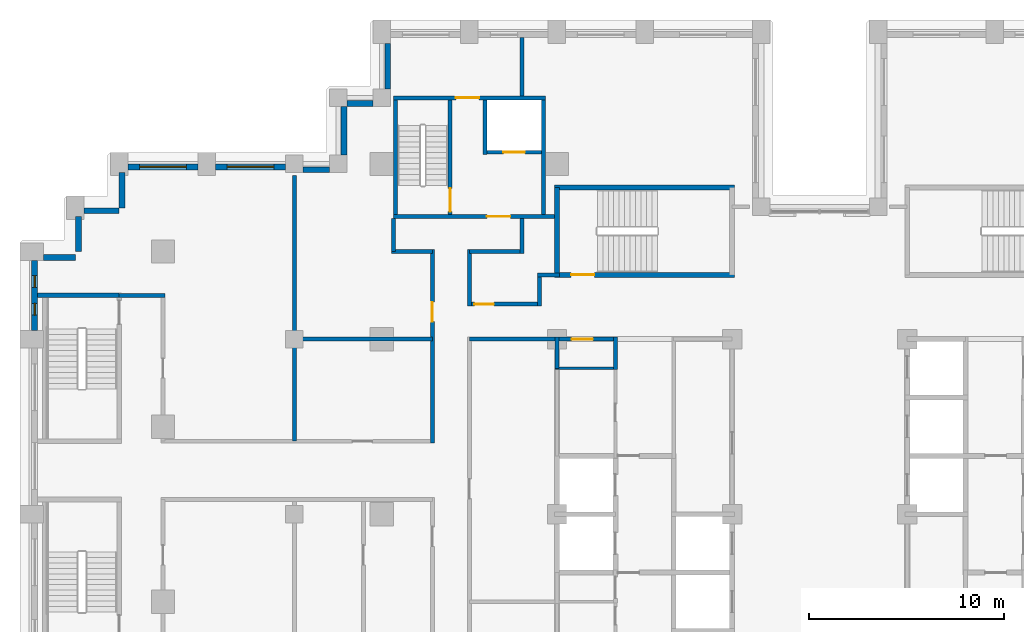
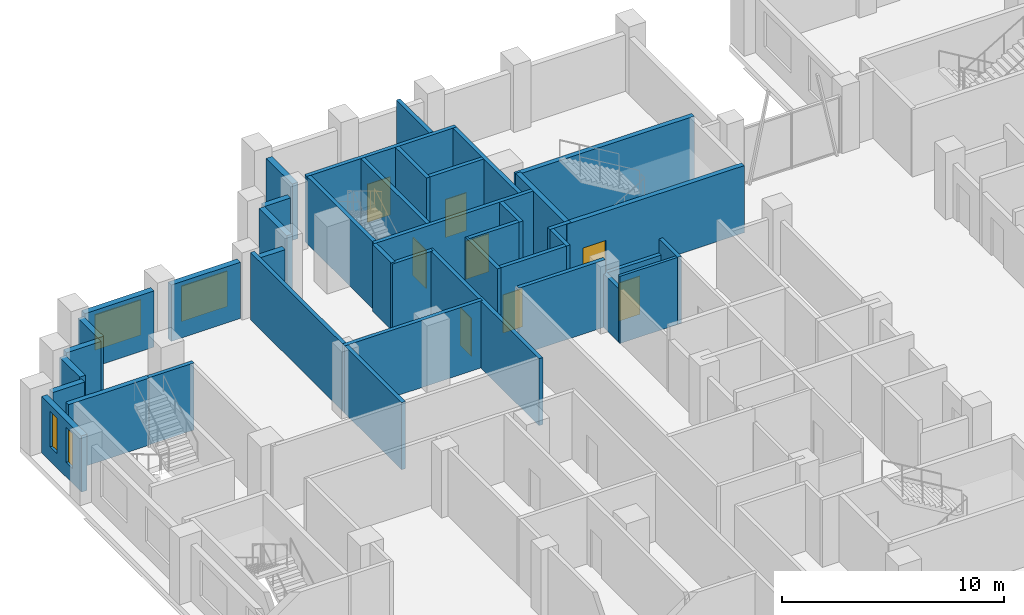
# One storey, part 10 of 16: 40 walls, 8 doors, 4 windows, 12 openings.
"""IFC4 building model written with IfcOpenShell, lengths in metres."""

from ifc_helpers import new_model, si_unit, direction, frame, frame_2d, origin, place, context, subcontext, project, spatial, rectangle, extrude, material, layer, layer_set, type_object, element, fill, save


model = new_model("IFC4")

# Units and contexts
model_context = context("Model", 3, precision=1e-05, world=origin(), true_north=direction((0.0, 1.0)))
body_context = subcontext(model_context, "Body", "Model", "MODEL_VIEW")
ifc_project = project(units=[si_unit("LENGTHUNIT", "METRE"), si_unit("AREAUNIT", "SQUARE_METRE"), si_unit("VOLUMEUNIT", "CUBIC_METRE"), si_unit("PLANEANGLEUNIT", "RADIAN"), si_unit("MASSUNIT", "GRAM", prefix="KILO")], contexts=[model_context])

# Site, building, storey
site_placement = place(None, origin())
site = spatial("IfcSite", under=ifc_project, at=site_placement, CompositionType="ELEMENT")
building_placement = place(site_placement, origin())
building = spatial("IfcBuilding", under=site, at=building_placement, Name="Corbelhall Arena Tower", CompositionType="ELEMENT")
storey_placement = place(building_placement, frame((0.0, 0.0, 112.0)))
storey = spatial("IfcBuildingStorey", under=building, at=storey_placement, Name="L20", CompositionType="ELEMENT", Elevation=112.0)

# Walls
ifc_material_1 = material(Name="Precast concrete C40/50 with granite facing", Category="masonry")
ifc_layer_1 = layer(ifc_material_1, 0.300048828125)
ifc_layer_set_1 = layer_set([ifc_layer_1], Name="EV-IW1 Infill panel 300")
wall_type_1 = type_object("IfcWallType", Name="EV-IW1 Infill panel 300", PredefinedType="SOLIDWALL", material=ifc_layer_set_1)
for number, where, z_axis, x_axis, name in (
    (1, (-35.85009765625, 17.550048828125, 0.0), (0.0, 0.0, 1.0), (0.0, -1.0, 0.0), "Infill panel IW1"),
    (2, (-37.800048828125, 15.60009765625, 0.0), (0.0, 0.0, 1.0), (1.0, 0.0, 0.0), "Infill panel IW1"),
    (3, (-38.10009765625, 15.300048828125, 0.0), (0.0, 0.0, 1.0), (0.0, -1.0, 0.0), "Infill panel IW1"),
):
    element("IfcWall", number, at=place(storey_placement, frame(where, z_axis=z_axis, x_axis=x_axis)), inside=storey, type_object=wall_type_1, Name=name, PredefinedType="SOLIDWALL", context=body_context, shape_type="SweptSolid", body=[
        extrude(rectangle(XDim=1.800048828125, YDim=0.300048828125, at=frame_2d((0.89990234375, 0.0))), origin(), (0.0, 0.0, 1.0), 3.10009765625),
    ])
wall_1_placement = place(storey_placement, frame((-39.89990234375, 13.199951171875, 0.0), z_axis=(0.0, 0.0, 1.0), x_axis=(1.0, 0.0, 0.0)))
element("IfcWall", 4, at=wall_1_placement, inside=storey, type_object=wall_type_1, Name="Infill panel IW1", PredefinedType="SOLIDWALL", context=body_context, shape_type="SweptSolid", body=[
    extrude(rectangle(XDim=1.64990234375, YDim=0.300048828125, at=frame_2d((0.824951171875, 0.0))), origin(), (0.0, 0.0, 1.0), 3.10009765625),
])
wall_2_placement = place(storey_placement, frame((-22.199951171875, 24.199951171875, 0.0), z_axis=(0.0, 0.0, 1.0), x_axis=(0.0, -1.0, 0.0)))
element("IfcWall", 5, at=wall_2_placement, inside=storey, type_object=wall_type_1, Name="Infill panel IW1", PredefinedType="SOLIDWALL", context=body_context, shape_type="SweptSolid", body=[
    extrude(rectangle(XDim=2.349853515625, YDim=0.300048828125, at=frame_2d((1.1748046875, 0.0))), origin(), (0.0, 0.0, 1.0), 3.10009765625),
])
wall_3_placement = place(storey_placement, frame((-22.949951171875, 21.10009765625, 0.0), z_axis=(0.0, 0.0, 1.0), x_axis=(-1.0, 0.0, 0.0)))
element("IfcWall", 6, at=wall_3_placement, inside=storey, type_object=wall_type_1, Name="Infill panel IW1", PredefinedType="SOLIDWALL", context=body_context, shape_type="SweptSolid", body=[
    extrude(rectangle(XDim=1.35009765625, YDim=0.300048828125, at=frame_2d((0.675048828125, 0.0))), origin(), (0.0, 0.0, 1.0), 3.10009765625),
])
wall_4_placement = place(storey_placement, frame((-24.449951171875, 20.949951171875, 0.0), z_axis=(0.0, 0.0, 1.0), x_axis=(0.0, -1.0, 0.0)))
element("IfcWall", 7, at=wall_4_placement, inside=storey, type_object=wall_type_1, Name="Infill panel IW1", PredefinedType="SOLIDWALL", context=body_context, shape_type="SweptSolid", body=[
    extrude(rectangle(XDim=2.5, YDim=0.300048828125, at=frame_2d((1.25, 0.0))), origin(), (0.0, 0.0, 1.0), 3.10009765625),
])
wall_5_placement = place(storey_placement, frame((-25.199951171875, 17.699951171875, 0.0), z_axis=(0.0, 0.0, 1.0), x_axis=(-1.0, 0.0, 0.0)))
element("IfcWall", 8, at=wall_5_placement, inside=storey, type_object=wall_type_1, Name="Infill panel IW1", PredefinedType="SOLIDWALL", context=body_context, shape_type="SweptSolid", body=[
    extrude(rectangle(XDim=1.35009765625, YDim=0.300048828125, at=frame_2d((0.675048828125, 0.0))), origin(), (0.0, 0.0, 1.0), 3.10009765625),
])

# Wall, opening, window
wall_6_placement = place(storey_placement, frame((-27.449951171875, 17.85009765625, 0.0), z_axis=(0.0, 0.0, 1.0), x_axis=(-1.0, 0.0, 0.0)))
wall_6 = element("IfcWall", 9, at=wall_6_placement, inside=storey, type_object=wall_type_1, Name="Infill panel IW1", PredefinedType="SOLIDWALL", context=body_context, shape_type="SweptSolid", body=[
    extrude(rectangle(XDim=3.60009765625, YDim=0.300048828125, at=frame_2d((1.800048828125, 0.0))), origin(), (0.0, 0.0, 1.0), 3.10009765625),
])
opening_1_placement = place(wall_6_placement, frame((0.60009765625, 0.0, 0.800048828125)))
opening_1 = element("IfcOpeningElement", 10, at=opening_1_placement, cuts=wall_6, Name="Opening WN1", PredefinedType="OPENING", context=body_context, shape_type="SweptSolid", body=[
    extrude(rectangle(XDim=2.39990234375, YDim=1.949951171875, at=frame_2d((1.199951171875, 0.97509765625))), frame((0.0, 0.14990234375, 0.0), z_axis=(0.0, -1.0, 0.0), x_axis=(1.0, 0.0, 0.0)), (0.0, 0.0, 1.0), 0.300048828125),
])
ifc_material_2 = material(Name="Aluminium black anodised", Category="aluminium")
window_type_1 = type_object("IfcWindowType", Name="EV-WN1 Office window", PartitioningType="SINGLE_PANEL", PredefinedType="WINDOW", material=ifc_material_2)
window_1_placement = place(opening_1_placement, origin())
window_1 = element("IfcWindow", 11, at=window_1_placement, inside=storey, type_object=window_type_1, Name="Window WN1", OverallHeight=1.949951171875, OverallWidth=2.39990234375, PartitioningType="SINGLE_PANEL", PredefinedType="WINDOW", context=body_context, shape_type="SweptSolid", body=[
    extrude(rectangle(XDim=2.39990234375, YDim=1.949951171875, at=frame_2d((1.199951171875, 0.97509765625))), frame((0.0, 0.030029296875, 0.0), z_axis=(0.0, -1.0, 0.0), x_axis=(1.0, 0.0, 0.0)), (0.0, 0.0, 1.0), 0.06005859375),
])
fill(opening_1, window_1)

wall_7_placement = place(storey_placement, frame((-31.949951171875, 17.85009765625, 0.0), z_axis=(0.0, 0.0, 1.0), x_axis=(-1.0, 0.0, 0.0)))
wall_7 = element("IfcWall", 12, at=wall_7_placement, inside=storey, type_object=wall_type_1, Name="Infill panel IW1", PredefinedType="SOLIDWALL", context=body_context, shape_type="SweptSolid", body=[
    extrude(rectangle(XDim=3.60009765625, YDim=0.300048828125, at=frame_2d((1.800048828125, 0.0))), origin(), (0.0, 0.0, 1.0), 3.10009765625),
])
opening_2_placement = place(wall_7_placement, frame((0.60009765625, 0.0, 0.800048828125)))
opening_2 = element("IfcOpeningElement", 13, at=opening_2_placement, cuts=wall_7, Name="Opening WN1", PredefinedType="OPENING", context=body_context, shape_type="SweptSolid", body=[
    extrude(rectangle(XDim=2.39990234375, YDim=1.949951171875, at=frame_2d((1.199951171875, 0.97509765625))), frame((0.0, 0.14990234375, 0.0), z_axis=(0.0, -1.0, 0.0), x_axis=(1.0, 0.0, 0.0)), (0.0, 0.0, 1.0), 0.300048828125),
])
window_2_placement = place(opening_2_placement, origin())
window_2 = element("IfcWindow", 14, at=window_2_placement, inside=storey, type_object=window_type_1, Name="Window WN1", OverallHeight=1.949951171875, OverallWidth=2.39990234375, PartitioningType="SINGLE_PANEL", PredefinedType="WINDOW", context=body_context, shape_type="SweptSolid", body=[
    extrude(rectangle(XDim=2.39990234375, YDim=1.949951171875, at=frame_2d((1.199951171875, 0.97509765625))), frame((0.0, 0.030029296875, 0.0), z_axis=(0.0, -1.0, 0.0), x_axis=(1.0, 0.0, 0.0)), (0.0, 0.0, 1.0), 0.06005859375),
])
fill(opening_2, window_2)

# Wall, openings, windows
wall_8_placement = place(storey_placement, frame((-40.35009765625, 13.050048828125, 0.0), z_axis=(0.0, 0.0, 1.0), x_axis=(0.0, -1.0, 0.0)))
wall_8 = element("IfcWall", 15, at=wall_8_placement, inside=storey, type_object=wall_type_1, Name="Infill panel IW1", PredefinedType="SOLIDWALL", context=body_context, shape_type="SweptSolid", body=[
    extrude(rectangle(XDim=3.60009765625, YDim=0.300048828125, at=frame_2d((1.800048828125, 0.0))), origin(), (0.0, 0.0, 1.0), 3.10009765625),
])
opening_3_placement = place(wall_8_placement, frame((0.78759765625, 0.0, 0.800048828125)))
opening_3 = element("IfcOpeningElement", 16, at=opening_3_placement, cuts=wall_8, Name="Opening WN5", PredefinedType="OPENING", context=body_context, shape_type="SweptSolid", body=[
    extrude(rectangle(XDim=0.60009765625, YDim=1.949951171875, at=frame_2d((0.300048828125, 0.97509765625))), frame((0.0, 0.14990234375, 0.0), z_axis=(0.0, -1.0, 0.0), x_axis=(1.0, 0.0, 0.0)), (0.0, 0.0, 1.0), 0.300048828125),
])
opening_4_placement = place(wall_8_placement, frame((2.21240234375, 0.0, 0.800048828125)))
opening_4 = element("IfcOpeningElement", 17, at=opening_4_placement, cuts=wall_8, Name="Opening WN5", PredefinedType="OPENING", context=body_context, shape_type="SweptSolid", body=[
    extrude(rectangle(XDim=0.60009765625, YDim=1.949951171875, at=frame_2d((0.300048828125, 0.97509765625))), frame((0.0, 0.14990234375, 0.0), z_axis=(0.0, -1.0, 0.0), x_axis=(1.0, 0.0, 0.0)), (0.0, 0.0, 1.0), 0.300048828125),
])
window_type_2 = type_object("IfcWindowType", Name="EV-WN5 Office window 600", PartitioningType="SINGLE_PANEL", PredefinedType="WINDOW", material=ifc_material_2)
window_3_placement = place(opening_3_placement, origin())
window_3 = element("IfcWindow", 18, at=window_3_placement, inside=storey, type_object=window_type_2, Name="Window WN5", OverallHeight=1.949951171875, OverallWidth=0.60009765625, PartitioningType="SINGLE_PANEL", PredefinedType="WINDOW", context=body_context, shape_type="SweptSolid", body=[
    extrude(rectangle(XDim=0.60009765625, YDim=1.949951171875, at=frame_2d((0.300048828125, 0.97509765625))), frame((0.0, 0.030029296875, 0.0), z_axis=(0.0, -1.0, 0.0), x_axis=(1.0, 0.0, 0.0)), (0.0, 0.0, 1.0), 0.06005859375),
])
fill(opening_3, window_3)
window_4_placement = place(opening_4_placement, origin())
window_4 = element("IfcWindow", 19, at=window_4_placement, inside=storey, type_object=window_type_2, Name="Window WN5", OverallHeight=1.949951171875, OverallWidth=0.60009765625, PartitioningType="SINGLE_PANEL", PredefinedType="WINDOW", context=body_context, shape_type="SweptSolid", body=[
    extrude(rectangle(XDim=0.60009765625, YDim=1.949951171875, at=frame_2d((0.300048828125, 0.97509765625))), frame((0.0, 0.030029296875, 0.0), z_axis=(0.0, -1.0, 0.0), x_axis=(1.0, 0.0, 0.0)), (0.0, 0.0, 1.0), 0.06005859375),
])
fill(opening_4, window_4)

# Walls
ifc_material_3 = material(Name="Gypsum board on steel stud, acoustic", Category="steel")
ifc_layer_2 = layer(ifc_material_3, 0.199951171875)
ifc_layer_set_2 = layer_set([ifc_layer_2], Name="IN-W-DM200")
wall_type_2 = type_object("IfcWallType", Name="IN-W-DM200", PredefinedType="PARTITIONING", material=ifc_layer_set_2)
wall_9_placement = place(storey_placement, frame((-36.0, 11.25, 0.0), z_axis=(0.0, 0.0, 1.0), x_axis=(1.0, 0.0, 0.0)))
element("IfcWall", 20, at=wall_9_placement, inside=storey, type_object=wall_type_2, Name="Partition 001", PredefinedType="PARTITIONING", context=body_context, shape_type="SweptSolid", body=[
    extrude(rectangle(XDim=2.35009765625, YDim=0.199951171875, at=frame_2d((1.175048828125, 0.0))), origin(), (0.0, 0.0, 1.0), 3.699951171875),
])
wall_10_placement = place(storey_placement, frame((-27.10009765625, 9.0, 0.0), z_axis=(0.0, 0.0, 1.0), x_axis=(1.0, 0.0, 0.0)))
element("IfcWall", 21, at=wall_10_placement, inside=storey, type_object=wall_type_2, Name="Partition 008", PredefinedType="PARTITIONING", context=body_context, shape_type="SweptSolid", body=[
    extrude(rectangle(XDim=7.2001953125, YDim=0.199951171875, at=frame_2d((3.60009765625, 0.0))), origin(), (0.0, 0.0, 1.0), 3.699951171875),
])
wall_11_placement = place(storey_placement, frame((-27.0, 3.75, 0.0), z_axis=(0.0, 0.0, 1.0), x_axis=(0.0, 1.0, 0.0)))
element("IfcWall", 22, at=wall_11_placement, inside=storey, type_object=wall_type_2, Name="Partition 010", PredefinedType="PARTITIONING", context=body_context, shape_type="SweptSolid", body=[
    extrude(rectangle(XDim=13.64990234375, YDim=0.199951171875, at=frame_2d((6.824951171875, 0.0))), origin(), (0.0, 0.0, 1.0), 3.699951171875),
])
wall_12_placement = place(storey_placement, frame((-21.89990234375, 13.5, 0.0), z_axis=(0.0, 0.0, 1.0), x_axis=(0.0, 1.0, 0.0)))
element("IfcWall", 23, at=wall_12_placement, inside=storey, type_object=wall_type_2, Name="Partition 013", PredefinedType="PARTITIONING", context=body_context, shape_type="SweptSolid", body=[
    extrude(rectangle(XDim=1.699951171875, YDim=0.199951171875, at=frame_2d((0.85009765625, 0.0))), origin(), (0.0, 0.0, 1.0), 3.699951171875),
])

# Wall, opening, door
wall_13_placement = place(storey_placement, frame((-19.89990234375, 3.64990234375, 0.0), z_axis=(0.0, 0.0, 1.0), x_axis=(0.0, 1.0, 0.0)))
wall_13 = element("IfcWall", 24, at=wall_13_placement, inside=storey, type_object=wall_type_2, Name="Partition 015", PredefinedType="PARTITIONING", context=body_context, shape_type="SweptSolid", body=[
    extrude(rectangle(XDim=9.9501953125, YDim=0.199951171875, at=frame_2d((4.97509765625, 0.0))), origin(), (0.0, 0.0, 1.0), 3.699951171875),
])
opening_5_placement = place(wall_13_placement, frame((6.25, 0.0, 0.0)))
opening_5 = element("IfcOpeningElement", 25, at=opening_5_placement, cuts=wall_13, Name="Opening 05032", PredefinedType="OPENING", context=body_context, shape_type="SweptSolid", body=[
    extrude(rectangle(XDim=1.0, YDim=2.10009765625, at=frame_2d((0.5, 1.050048828125))), frame((0.0, 0.10009765625, 0.0), z_axis=(0.0, -1.0, 0.0), x_axis=(1.0, 0.0, 0.0)), (0.0, 0.0, 1.0), 0.199951171875),
])
ifc_material_4 = material(Name="Steel door set", Category="steel")
door_type_1 = type_object("IfcDoorType", Name="IN-D-SW100", OperationType="NOTDEFINED", PredefinedType="DOOR", material=ifc_material_4)
door_1_placement = place(opening_5_placement, origin())
door_1 = element("IfcDoor", 26, at=door_1_placement, inside=storey, type_object=door_type_1, Name="Door 032", OperationType="SINGLE_SWING_LEFT", OverallHeight=2.10009765625, OverallWidth=1.0, PredefinedType="DOOR", context=body_context, shape_type="SweptSolid", body=[
    extrude(rectangle(XDim=1.0, YDim=2.10009765625, at=frame_2d((0.5, 1.050048828125))), frame((0.0, 0.02490234375, 0.0), z_axis=(0.0, -1.0, 0.0), x_axis=(1.0, 0.0, 0.0)), (0.0, 0.0, 1.0), 0.050048828125),
])
fill(opening_5, door_1)

# Wall
wall_14_placement = place(storey_placement, frame((-19.89990234375, 13.5, 0.0), z_axis=(0.0, 0.0, 1.0), x_axis=(-1.0, 0.0, 0.0)))
element("IfcWall", 27, at=wall_14_placement, inside=storey, type_object=wall_type_2, Name="Partition 016", PredefinedType="PARTITIONING", context=body_context, shape_type="SweptSolid", body=[
    extrude(rectangle(XDim=2.10009765625, YDim=0.199951171875, at=frame_2d((1.050048828125, 0.0))), origin(), (0.0, 0.0, 1.0), 3.699951171875),
])

# Wall, opening, door
wall_15_placement = place(storey_placement, frame((-18.0, 10.800048828125, 0.0), z_axis=(0.0, 0.0, 1.0), x_axis=(1.0, 0.0, 0.0)))
wall_15 = element("IfcWall", 28, at=wall_15_placement, inside=storey, type_object=wall_type_2, Name="Partition 021", PredefinedType="PARTITIONING", context=body_context, shape_type="SweptSolid", body=[
    extrude(rectangle(XDim=3.60009765625, YDim=0.199951171875, at=frame_2d((1.800048828125, 0.0))), origin(), (0.0, 0.0, 1.0), 3.699951171875),
])
opening_6_placement = place(wall_15_placement, frame((0.25, 0.0, 0.0)))
opening_6 = element("IfcOpeningElement", 29, at=opening_6_placement, cuts=wall_15, Name="Opening 05027", PredefinedType="OPENING", context=body_context, shape_type="SweptSolid", body=[
    extrude(rectangle(XDim=1.0, YDim=2.10009765625, at=frame_2d((0.5, 1.050048828125))), frame((0.0, 0.10009765625, 0.0), z_axis=(0.0, -1.0, 0.0), x_axis=(1.0, 0.0, 0.0)), (0.0, 0.0, 1.0), 0.199951171875),
])
door_2_placement = place(opening_6_placement, origin())
door_2 = element("IfcDoor", 30, at=door_2_placement, inside=storey, type_object=door_type_1, Name="Door 027", OperationType="SINGLE_SWING_RIGHT", OverallHeight=2.10009765625, OverallWidth=1.0, PredefinedType="DOOR", context=body_context, shape_type="SweptSolid", body=[
    extrude(rectangle(XDim=1.0, YDim=2.10009765625, at=frame_2d((0.5, 1.050048828125))), frame((0.0, 0.02490234375, 0.0), z_axis=(0.0, -1.0, 0.0), x_axis=(1.0, 0.0, 0.0)), (0.0, 0.0, 1.0), 0.050048828125),
])
fill(opening_6, door_2)

# Walls
wall_16_placement = place(storey_placement, frame((-18.0, 13.60009765625, 0.0), z_axis=(0.0, 0.0, 1.0), x_axis=(0.0, -1.0, 0.0)))
element("IfcWall", 31, at=wall_16_placement, inside=storey, type_object=wall_type_2, Name="Partition 022", PredefinedType="PARTITIONING", context=body_context, shape_type="SweptSolid", body=[
    extrude(rectangle(XDim=2.900146484375, YDim=0.199951171875, at=frame_2d((1.4501953125, 0.0))), origin(), (0.0, 0.0, 1.0), 3.699951171875),
])
wall_17_placement = place(storey_placement, frame((-15.300048828125, 13.5, 0.0), z_axis=(0.0, 0.0, 1.0), x_axis=(-1.0, 0.0, 0.0)))
element("IfcWall", 32, at=wall_17_placement, inside=storey, type_object=wall_type_2, Name="Partition 023", PredefinedType="PARTITIONING", context=body_context, shape_type="SweptSolid", body=[
    extrude(rectangle(XDim=2.699951171875, YDim=0.199951171875, at=frame_2d((1.35009765625, 0.0))), origin(), (0.0, 0.0, 1.0), 3.699951171875),
])
wall_18_placement = place(storey_placement, frame((-15.300048828125, 15.199951171875, 0.0), z_axis=(0.0, 0.0, 1.0), x_axis=(0.0, -1.0, 0.0)))
element("IfcWall", 33, at=wall_18_placement, inside=storey, type_object=wall_type_2, Name="Partition 024", PredefinedType="PARTITIONING", context=body_context, shape_type="SweptSolid", body=[
    extrude(rectangle(XDim=1.800048828125, YDim=0.199951171875, at=frame_2d((0.89990234375, 0.0))), origin(), (0.0, 0.0, 1.0), 3.699951171875),
])
wall_19_placement = place(storey_placement, frame((-15.300048828125, 24.5, 0.0), z_axis=(0.0, 0.0, 1.0), x_axis=(0.0, -1.0, 0.0)))
element("IfcWall", 34, at=wall_19_placement, inside=storey, type_object=wall_type_2, Name="Partition 025", PredefinedType="PARTITIONING", context=body_context, shape_type="SweptSolid", body=[
    extrude(rectangle(XDim=3.0, YDim=0.199951171875, at=frame_2d((1.5, 0.0))), origin(), (0.0, 0.0, 1.0), 3.699951171875),
])
wall_20_placement = place(storey_placement, frame((-14.5, 12.300048828125, 0.0), z_axis=(0.0, 0.0, 1.0), x_axis=(1.0, 0.0, 0.0)))
element("IfcWall", 35, at=wall_20_placement, inside=storey, type_object=wall_type_2, Name="Partition 026", PredefinedType="PARTITIONING", context=body_context, shape_type="SweptSolid", body=[
    extrude(rectangle(XDim=1.125, YDim=0.199951171875, at=frame_2d((0.5625, 0.0))), origin(), (0.0, 0.0, 1.0), 3.699951171875),
])
wall_21_placement = place(storey_placement, frame((-13.5, 9.0, 0.0), z_axis=(0.0, 0.0, 1.0), x_axis=(-1.0, 0.0, 0.0)))
element("IfcWall", 36, at=wall_21_placement, inside=storey, type_object=wall_type_2, Name="Partition 029", PredefinedType="PARTITIONING", context=body_context, shape_type="SweptSolid", body=[
    extrude(rectangle(XDim=4.5, YDim=0.199951171875, at=frame_2d((2.25, 0.0))), origin(), (0.0, 0.0, 1.0), 3.699951171875),
])
wall_22_placement = place(storey_placement, frame((-14.39990234375, 10.699951171875, 0.0), z_axis=(0.0, 0.0, 1.0), x_axis=(0.0, 1.0, 0.0)))
element("IfcWall", 37, at=wall_22_placement, inside=storey, type_object=wall_type_2, Name="Partition 030", PredefinedType="PARTITIONING", context=body_context, shape_type="SweptSolid", body=[
    extrude(rectangle(XDim=1.60009765625, YDim=0.199951171875, at=frame_2d((0.800048828125, 0.0))), origin(), (0.0, 0.0, 1.0), 3.699951171875),
])

# Wall, opening, door
ifc_material_5 = material(Name="Concrete C40/50", Category="concrete")
ifc_layer_3 = layer(ifc_material_5, 0.199951171875)
ifc_layer_set_3 = layer_set([ifc_layer_3], Name="IN-W-EAR200")
wall_type_3 = type_object("IfcWallType", Name="IN-W-EAR200", PredefinedType="SOLIDWALL", material=ifc_layer_set_3)
wall_23_placement = place(storey_placement, frame((-21.89990234375, 15.300048828125, 0.0), z_axis=(0.0, 0.0, 1.0), x_axis=(1.0, 0.0, 0.0)))
wall_23 = element("IfcWall", 38, at=wall_23_placement, inside=storey, type_object=wall_type_3, Name="Fire service turret wall south", PredefinedType="SOLIDWALL", context=body_context, shape_type="SweptSolid", body=[
    extrude(rectangle(XDim=8.27490234375, YDim=0.199951171875, at=frame_2d((4.137451171875, 0.0))), origin(), (0.0, 0.0, 1.0), 3.699951171875),
])
opening_7_placement = place(wall_23_placement, frame((4.800048828125, 0.0, 0.0)))
opening_7 = element("IfcOpeningElement", 39, at=opening_7_placement, cuts=wall_23, Name="Opening E052", PredefinedType="OPENING", context=body_context, shape_type="SweptSolid", body=[
    extrude(rectangle(XDim=1.199951171875, YDim=2.10009765625, at=frame_2d((0.60009765625, 1.050048828125))), frame((0.0, 0.10009765625, 0.0), z_axis=(0.0, -1.0, 0.0), x_axis=(1.0, 0.0, 0.0)), (0.0, 0.0, 1.0), 0.199951171875),
])
door_type_2 = type_object("IfcDoorType", Name="IN-D-ST120", OperationType="NOTDEFINED", PredefinedType="DOOR", material=ifc_material_4)
door_3_placement = place(opening_7_placement, origin())
door_3 = element("IfcDoor", 40, at=door_3_placement, inside=storey, type_object=door_type_2, Name="Door from fire service lift lobby to circulation", OperationType="SINGLE_SWING_RIGHT", OverallHeight=2.10009765625, OverallWidth=1.199951171875, PredefinedType="DOOR", context=body_context, shape_type="SweptSolid", body=[
    extrude(rectangle(XDim=1.199951171875, YDim=2.10009765625, at=frame_2d((0.60009765625, 1.050048828125))), frame((0.0, 0.02490234375, 0.0), z_axis=(0.0, -1.0, 0.0), x_axis=(1.0, 0.0, 0.0)), (0.0, 0.0, 1.0), 0.050048828125),
])
fill(opening_7, door_3)

wall_24_placement = place(storey_placement, frame((-21.89990234375, 21.39990234375, 0.0), z_axis=(0.0, 0.0, 1.0), x_axis=(1.0, 0.0, 0.0)))
wall_24 = element("IfcWall", 41, at=wall_24_placement, inside=storey, type_object=wall_type_3, Name="Fire service turret wall north", PredefinedType="SOLIDWALL", context=body_context, shape_type="SweptSolid", body=[
    extrude(rectangle(XDim=7.7998046875, YDim=0.199951171875, at=frame_2d((3.89990234375, 0.0))), origin(), (0.0, 0.0, 1.0), 3.699951171875),
])
opening_8_placement = place(wall_24_placement, frame((3.199951171875, 0.0, 0.0)))
opening_8 = element("IfcOpeningElement", 42, at=opening_8_placement, cuts=wall_24, Name="Opening E053", PredefinedType="OPENING", context=body_context, shape_type="SweptSolid", body=[
    extrude(rectangle(XDim=1.199951171875, YDim=2.10009765625, at=frame_2d((0.60009765625, 1.050048828125))), frame((0.0, 0.10009765625, 0.0), z_axis=(0.0, -1.0, 0.0), x_axis=(1.0, 0.0, 0.0)), (0.0, 0.0, 1.0), 0.199951171875),
])
door_4_placement = place(opening_8_placement, origin())
door_4 = element("IfcDoor", 43, at=door_4_placement, inside=storey, type_object=door_type_2, Name="Door from fire service lift lobby to the north gallery", OperationType="SINGLE_SWING_LEFT", OverallHeight=2.10009765625, OverallWidth=1.199951171875, PredefinedType="DOOR", context=body_context, shape_type="SweptSolid", body=[
    extrude(rectangle(XDim=1.199951171875, YDim=2.10009765625, at=frame_2d((0.60009765625, 1.050048828125))), frame((0.0, 0.02490234375, 0.0), z_axis=(0.0, -1.0, 0.0), x_axis=(1.0, 0.0, 0.0)), (0.0, 0.0, 1.0), 0.050048828125),
])
fill(opening_8, door_4)

# Walls
for number, where, z_axis, x_axis, name in (
    (44, (-21.800048828125, 15.39990234375, 0.0), (0.0, 0.0, 1.0), (0.0, 1.0, 0.0), "Fire service turret wall west"),
    (45, (-14.199951171875, 15.39990234375, 0.0), (0.0, 0.0, 1.0), (0.0, 1.0, 0.0), "Fire service turret wall east"),
):
    element("IfcWall", number, at=place(storey_placement, frame(where, z_axis=z_axis, x_axis=x_axis)), inside=storey, type_object=wall_type_3, Name=name, PredefinedType="SOLIDWALL", context=body_context, shape_type="SweptSolid", body=[
        extrude(rectangle(XDim=5.900146484375, YDim=0.199951171875, at=frame_2d((2.9501953125, 0.0))), origin(), (0.0, 0.0, 1.0), 3.699951171875),
    ])

# Wall, opening, door
wall_25_placement = place(storey_placement, frame((-18.989990234375, 15.39990234375, 0.0), z_axis=(0.0, 0.0, 1.0), x_axis=(0.0, 1.0, 0.0)))
wall_25 = element("IfcWall", 46, at=wall_25_placement, inside=storey, type_object=wall_type_3, Name="Fire service turret wall stair", PredefinedType="SOLIDWALL", context=body_context, shape_type="SweptSolid", body=[
    extrude(rectangle(XDim=5.900146484375, YDim=0.199951171875, at=frame_2d((2.9501953125, 0.0))), origin(), (0.0, 0.0, 1.0), 3.699951171875),
])
opening_9_placement = place(wall_25_placement, frame((0.14990234375, 0.0, 0.0)))
opening_9 = element("IfcOpeningElement", 47, at=opening_9_placement, cuts=wall_25, Name="Opening E051", PredefinedType="OPENING", context=body_context, shape_type="SweptSolid", body=[
    extrude(rectangle(XDim=1.199951171875, YDim=2.10009765625, at=frame_2d((0.60009765625, 1.050048828125))), frame((0.0, 0.10009765625, 0.0), z_axis=(0.0, -1.0, 0.0), x_axis=(1.0, 0.0, 0.0)), (0.0, 0.0, 1.0), 0.199951171875),
])
door_5_placement = place(opening_9_placement, origin())
door_5 = element("IfcDoor", 48, at=door_5_placement, inside=storey, type_object=door_type_2, Name="Stair door to fire service lobby", OperationType="SINGLE_SWING_LEFT", OverallHeight=2.10009765625, OverallWidth=1.199951171875, PredefinedType="DOOR", context=body_context, shape_type="SweptSolid", body=[
    extrude(rectangle(XDim=1.199951171875, YDim=2.10009765625, at=frame_2d((0.60009765625, 1.050048828125))), frame((0.0, 0.02490234375, 0.0), z_axis=(0.0, -1.0, 0.0), x_axis=(1.0, 0.0, 0.0)), (0.0, 0.0, 1.0), 0.050048828125),
])
fill(opening_9, door_5)

# Wall
wall_26_placement = place(storey_placement, frame((-17.199951171875, 18.5, 0.0), z_axis=(0.0, 0.0, 1.0), x_axis=(0.0, 1.0, 0.0)))
element("IfcWall", 49, at=wall_26_placement, inside=storey, type_object=wall_type_3, Name="Fire service turret wall hoistway west", PredefinedType="SOLIDWALL", context=body_context, shape_type="SweptSolid", body=[
    extrude(rectangle(XDim=2.800048828125, YDim=0.199951171875, at=frame_2d((1.39990234375, 0.0))), origin(), (0.0, 0.0, 1.0), 3.699951171875),
])

# Wall, opening, door
wall_27_placement = place(storey_placement, frame((-17.10009765625, 18.60009765625, 0.0), z_axis=(0.0, 0.0, 1.0), x_axis=(1.0, 0.0, 0.0)))
wall_27 = element("IfcWall", 50, at=wall_27_placement, inside=storey, type_object=wall_type_3, Name="Fire service turret wall hoistway south", PredefinedType="SOLIDWALL", context=body_context, shape_type="SweptSolid", body=[
    extrude(rectangle(XDim=2.800048828125, YDim=0.199951171875, at=frame_2d((1.39990234375, 0.0))), origin(), (0.0, 0.0, 1.0), 3.699951171875),
])
opening_10_placement = place(wall_27_placement, frame((0.85009765625, 0.0, 0.0)))
opening_10 = element("IfcOpeningElement", 51, at=opening_10_placement, cuts=wall_27, Name="Opening LD", PredefinedType="OPENING", context=body_context, shape_type="SweptSolid", body=[
    extrude(rectangle(XDim=1.10009765625, YDim=2.10009765625, at=frame_2d((0.550048828125, 1.050048828125))), frame((0.0, 0.10009765625, 0.0), z_axis=(0.0, -1.0, 0.0), x_axis=(1.0, 0.0, 0.0)), (0.0, 0.0, 1.0), 0.199951171875),
])
door_type_3 = type_object("IfcDoorType", Name="IN-D-LD110", OperationType="NOTDEFINED", PredefinedType="DOOR", material=ifc_material_4)
door_6_placement = place(opening_10_placement, origin())
door_6 = element("IfcDoor", 52, at=door_6_placement, inside=storey, type_object=door_type_3, Name="Landing door FS1", OperationType="SLIDING_TO_LEFT", OverallHeight=2.10009765625, OverallWidth=1.10009765625, PredefinedType="DOOR", context=body_context, shape_type="SweptSolid", body=[
    extrude(rectangle(XDim=1.10009765625, YDim=2.10009765625, at=frame_2d((0.550048828125, 1.050048828125))), frame((0.0, 0.02490234375, 0.0), z_axis=(0.0, -1.0, 0.0), x_axis=(1.0, 0.0, 0.0)), (0.0, 0.0, 1.0), 0.050048828125),
])
fill(opening_10, door_6)

# Wall
ifc_material_6 = material(Name="Concrete block wall", Category="concrete")
ifc_layer_4 = layer(ifc_material_6, 0.199951171875)
ifc_layer_set_4 = layer_set([ifc_layer_4], Name="IN-W-RS200")
wall_type_4 = type_object("IfcWallType", Name="IN-W-RS200", PredefinedType="SOLIDWALL", material=ifc_layer_set_4)
wall_28_placement = place(storey_placement, frame((-10.5, 7.425048828125, 0.0), z_axis=(0.0, 0.0, 1.0), x_axis=(0.0, 1.0, 0.0)))
element("IfcWall", 53, at=wall_28_placement, inside=storey, type_object=wall_type_4, Name="Partition 068", PredefinedType="SOLIDWALL", context=body_context, shape_type="SweptSolid", body=[
    extrude(rectangle(XDim=1.675048828125, YDim=0.199951171875, at=frame_2d((0.83740234375, 0.0))), origin(), (0.0, 0.0, 1.0), 3.699951171875),
])

# Wall, opening, door
ifc_layer_5 = layer(ifc_material_6, 0.199951171875)
ifc_layer_set_5 = layer_set([ifc_layer_5], Name="IN-W-RS200 under beam 762 mm")
wall_type_5 = type_object("IfcWallType", Name="IN-W-RS200 under beam 762 mm", PredefinedType="SOLIDWALL", material=ifc_layer_set_5)
wall_29_placement = place(storey_placement, frame((-13.60009765625, 9.0, 0.0), z_axis=(0.0, 0.0, 1.0), x_axis=(1.0, 0.0, 0.0)))
wall_29 = element("IfcWall", 54, at=wall_29_placement, inside=storey, type_object=wall_type_5, Name="Partition 064", PredefinedType="SOLIDWALL", context=body_context, shape_type="SweptSolid", body=[
    extrude(rectangle(XDim=3.10009765625, YDim=0.199951171875, at=frame_2d((1.550048828125, 0.0))), origin(), (0.0, 0.0, 1.0), 2.93798828125),
])
opening_11_placement = place(wall_29_placement, frame((0.85009765625, 0.0, 0.0)))
opening_11 = element("IfcOpeningElement", 55, at=opening_11_placement, cuts=wall_29, Name="Opening 05007", PredefinedType="OPENING", context=body_context, shape_type="SweptSolid", body=[
    extrude(rectangle(XDim=1.10009765625, YDim=2.10009765625, at=frame_2d((0.550048828125, 1.050048828125))), frame((0.0, 0.10009765625, 0.0), z_axis=(0.0, -1.0, 0.0), x_axis=(1.0, 0.0, 0.0)), (0.0, 0.0, 1.0), 0.199951171875),
])
door_type_4 = type_object("IfcDoorType", Name="IN-D-FD110", OperationType="NOTDEFINED", PredefinedType="DOOR", material=ifc_material_4)
door_7_placement = place(opening_11_placement, origin())
door_7 = element("IfcDoor", 56, at=door_7_placement, inside=storey, type_object=door_type_4, Name="Door 007", OperationType="SINGLE_SWING_RIGHT", OverallHeight=2.10009765625, OverallWidth=1.10009765625, PredefinedType="DOOR", context=body_context, shape_type="SweptSolid", body=[
    extrude(rectangle(XDim=1.10009765625, YDim=2.10009765625, at=frame_2d((0.550048828125, 1.050048828125))), frame((0.0, 0.02490234375, 0.0), z_axis=(0.0, -1.0, 0.0), x_axis=(1.0, 0.0, 0.0)), (0.0, 0.0, 1.0), 0.050048828125),
])
fill(opening_11, door_7)

# Walls
wall_30_placement = place(storey_placement, frame((-13.5, 7.5, 0.0), z_axis=(0.0, 0.0, 1.0), x_axis=(0.0, 1.0, 0.0)))
element("IfcWall", 57, at=wall_30_placement, inside=storey, type_object=wall_type_5, Name="Partition 066", PredefinedType="SOLIDWALL", context=body_context, shape_type="SweptSolid", body=[
    extrude(rectangle(XDim=1.60009765625, YDim=0.199951171875, at=frame_2d((0.800048828125, 0.0))), origin(), (0.0, 0.0, 1.0), 2.93798828125),
])
ifc_layer_6 = layer(ifc_material_5, 0.25)
ifc_layer_set_6 = layer_set([ifc_layer_6], Name="IN-W-ST250")
wall_type_6 = type_object("IfcWallType", Name="IN-W-ST250", PredefinedType="SOLIDWALL", material=ifc_layer_set_6)
wall_31_placement = place(storey_placement, frame((-40.199951171875, 11.25, 0.0), z_axis=(0.0, 0.0, 1.0), x_axis=(1.0, 0.0, 0.0)))
element("IfcWall", 58, at=wall_31_placement, inside=storey, type_object=wall_type_6, Name="Shaft wall 102", PredefinedType="SOLIDWALL", context=body_context, shape_type="SweptSolid", body=[
    extrude(rectangle(XDim=4.199951171875, YDim=0.25, at=frame_2d((2.10009765625, 0.0))), origin(), (0.0, 0.0, 1.0), 3.699951171875),
])

# Wall, opening, door
wall_32_placement = place(storey_placement, frame((-13.625, 12.300048828125, 0.0), z_axis=(0.0, 0.0, 1.0), x_axis=(1.0, 0.0, 0.0)))
wall_32 = element("IfcWall", 59, at=wall_32_placement, inside=storey, type_object=wall_type_6, Name="Shaft wall 107", PredefinedType="SOLIDWALL", context=body_context, shape_type="SweptSolid", body=[
    extrude(rectangle(XDim=9.25, YDim=0.25, at=frame_2d((4.625, 0.0))), origin(), (0.0, 0.0, 1.0), 3.699951171875),
])
opening_12_placement = place(wall_32_placement, frame((0.85009765625, 0.0, 0.0)))
opening_12 = element("IfcOpeningElement", 60, at=opening_12_placement, cuts=wall_32, Name="Opening 05014", PredefinedType="OPENING", context=body_context, shape_type="SweptSolid", body=[
    extrude(rectangle(XDim=1.199951171875, YDim=2.10009765625, at=frame_2d((0.60009765625, 1.050048828125))), frame((0.0, 0.125, 0.0), z_axis=(0.0, -1.0, 0.0), x_axis=(1.0, 0.0, 0.0)), (0.0, 0.0, 1.0), 0.25),
])
door_8_placement = place(opening_12_placement, origin())
door_8 = element("IfcDoor", 61, at=door_8_placement, inside=storey, type_object=door_type_2, Name="Door 014", OperationType="SINGLE_SWING_LEFT", OverallHeight=2.10009765625, OverallWidth=1.199951171875, PredefinedType="DOOR", context=body_context, shape_type="SweptSolid", body=[
    extrude(rectangle(XDim=1.199951171875, YDim=2.10009765625, at=frame_2d((0.60009765625, 1.050048828125))), frame((0.0, 0.02490234375, 0.0), z_axis=(0.0, -1.0, 0.0), x_axis=(1.0, 0.0, 0.0)), (0.0, 0.0, 1.0), 0.050048828125),
])
fill(opening_12, door_8)

# Walls
wall_33_placement = place(storey_placement, frame((-13.625, 16.800048828125, 0.0), z_axis=(0.0, 0.0, 1.0), x_axis=(1.0, 0.0, 0.0)))
element("IfcWall", 62, at=wall_33_placement, inside=storey, type_object=wall_type_6, Name="Shaft wall 108", PredefinedType="SOLIDWALL", context=body_context, shape_type="SweptSolid", body=[
    extrude(rectangle(XDim=9.25, YDim=0.25, at=frame_2d((4.625, 0.0))), origin(), (0.0, 0.0, 1.0), 3.699951171875),
])
wall_34_placement = place(storey_placement, frame((-13.5, 12.300048828125, 0.0), z_axis=(0.0, 0.0, 1.0), x_axis=(0.0, 1.0, 0.0)))
element("IfcWall", 63, at=wall_34_placement, inside=storey, type_object=wall_type_6, Name="Shaft wall 110", PredefinedType="SOLIDWALL", context=body_context, shape_type="SweptSolid", body=[
    extrude(rectangle(XDim=4.5, YDim=0.25, at=frame_2d((2.25, 0.0))), origin(), (0.0, 0.0, 1.0), 3.699951171875),
])
ifc_material_7 = material(Name="Gypsum board on steel stud, moisture resistant", Category="steel")
ifc_layer_7 = layer(ifc_material_7, 0.14990234375)
ifc_layer_set_7 = layer_set([ifc_layer_7], Name="IN-W-WC150")
wall_type_7 = type_object("IfcWallType", Name="IN-W-WC150", PredefinedType="PARTITIONING", material=ifc_layer_set_7)
wall_35_placement = place(storey_placement, frame((-13.60009765625, 7.5, 0.0), z_axis=(0.0, 0.0, 1.0), x_axis=(1.0, 0.0, 0.0)))
element("IfcWall", 64, at=wall_35_placement, inside=storey, type_object=wall_type_7, Name="Partition 130", PredefinedType="PARTITIONING", context=body_context, shape_type="SweptSolid", body=[
    extrude(rectangle(XDim=3.10009765625, YDim=0.14990234375, at=frame_2d((1.550048828125, 0.0))), origin(), (0.0, 0.0, 1.0), 3.699951171875),
])

save(model, "model.ifc")
